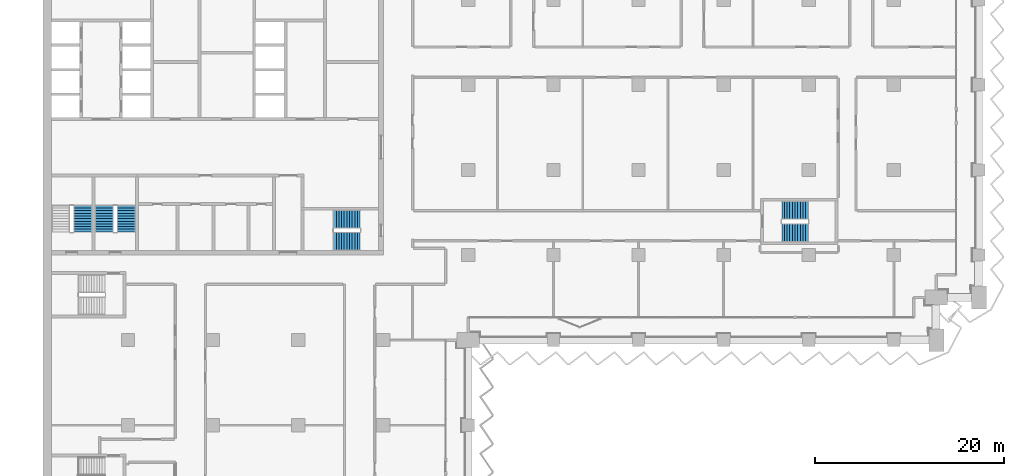
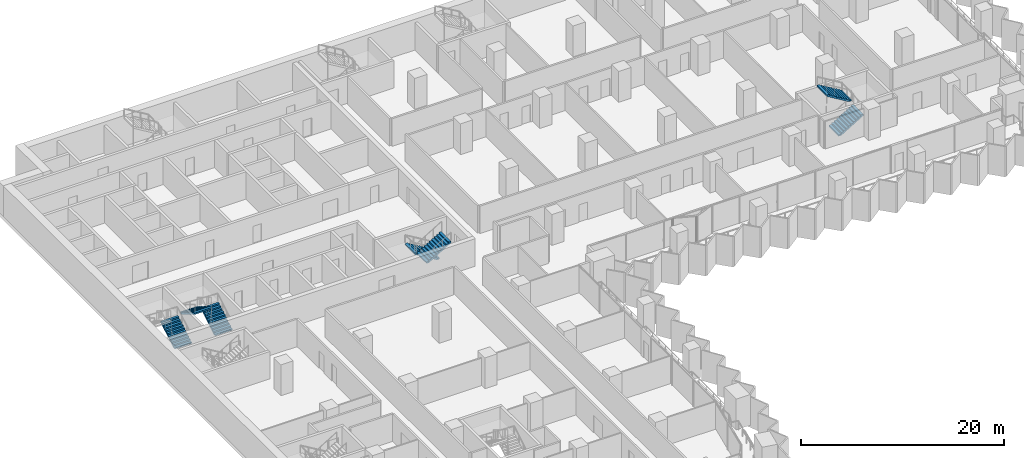
# One storey, part 20 of 28: 7 stair flights, 4 elements without a shape of their own.
"""IFC4 building model written with IfcOpenShell, lengths in metres."""

import ifcopenshell
import ifcopenshell.guid

model = None  # the IFC model being written
_history = None  # IfcOwnerHistory: only IFC2X3 demands one
_inside = {}  # id of a spatial element -> (the spatial element, [elements in it])
_under = {}  # id of a project, library or spatial element -> (it, [spatial elements below it])
_declared = {}  # id of a project -> (the project, [libraries it declares])
_typed = {}  # id of a type object -> (the type object, [elements of that type])
_made_of = {}  # id of a material, layer set ... -> (it, [elements and type objects made of it])


def new_model(schema):
    """Start an empty IFC model of exactly this schema.

    Asked for "IFC4X3", IfcOpenShell would pick the latest addendum, in which some entities
    have other attributes; the version numbers below select the first issue.
    IFC2X3 requires an IfcOwnerHistory on every rooted entity: one is made here for all.
    """
    global model, _history
    if schema == "IFC4X3":
        model = ifcopenshell.file(schema_version=(4, 3, 0, 0))
    else:
        model = ifcopenshell.file(schema=schema)
    _inside.clear()
    _under.clear()
    _declared.clear()
    _typed.clear()
    _made_of.clear()
    _history = None
    if model.schema == "IFC2X3":
        org = make("IfcOrganization", Name="unknown")
        user = make(
            "IfcPersonAndOrganization",
            ThePerson=make("IfcPerson", FamilyName="unknown"),
            TheOrganization=org,
        )
        app = make(
            "IfcApplication",
            ApplicationDeveloper=org,
            Version="unknown",
            ApplicationFullName="unknown",
            ApplicationIdentifier="unknown",
        )
        _history = make(
            "IfcOwnerHistory",
            OwningUser=user,
            OwningApplication=app,
            ChangeAction="ADDED",
            CreationDate=0,
        )
    return model


def make(cls, **values):
    """One entity of the class cls with the attributes given. An attribute that is None is left unset."""
    return model.create_entity(
        cls, **{name: value for name, value in values.items() if value is not None}
    )


def rooted(cls, **values):
    """An entity with a GlobalId (a new one), such as an element, a storey or a relation."""
    return make(cls, GlobalId=ifcopenshell.guid.new(), OwnerHistory=_history, **values)


def si_unit(unit_type, name, prefix=None):
    """IfcSIUnit, for example si_unit("LENGTHUNIT", "METRE", prefix="MILLI")."""
    return make("IfcSIUnit", UnitType=unit_type, Prefix=prefix, Name=name)


def assignment(units):
    """IfcUnitAssignment: the units of a project."""
    return None if units is None else make("IfcUnitAssignment", Units=units)


def point(xyz):
    """IfcCartesianPoint."""
    return None if xyz is None else make("IfcCartesianPoint", Coordinates=xyz)


def direction(xyz):
    """IfcDirection."""
    return None if xyz is None else make("IfcDirection", DirectionRatios=xyz)


def frame(location, z_axis=None, x_axis=None):
    """IfcAxis2Placement3D, a coordinate frame: its origin and axes. An axis left out is left unset."""
    return make(
        "IfcAxis2Placement3D",
        Location=point(location),
        Axis=direction(z_axis),
        RefDirection=direction(x_axis),
    )


def origin():
    """The frame at (0, 0, 0) with its axes left unset."""
    return frame((0.0, 0.0, 0.0))


def place(relative_to, where):
    """IfcLocalPlacement: puts the frame where relative to a parent placement (None: the world)."""
    return make(
        "IfcLocalPlacement", PlacementRelTo=relative_to, RelativePlacement=where
    )


def context(
    kind, dimensions, precision=None, world=None, true_north=None, identifier=None
):
    """IfcGeometricRepresentationContext, for example the 3D "Model" context."""
    return make(
        "IfcGeometricRepresentationContext",
        ContextIdentifier=identifier,
        ContextType=kind,
        CoordinateSpaceDimension=dimensions,
        Precision=precision,
        WorldCoordinateSystem=world,
        TrueNorth=true_north,
    )


def subcontext(parent, identifier, kind, view, scale=None):
    """IfcGeometricRepresentationSubContext, for example "Body" below "Model"."""
    return make(
        "IfcGeometricRepresentationSubContext",
        ContextIdentifier=identifier,
        ContextType=kind,
        ParentContext=parent,
        TargetScale=scale,
        TargetView=view,
    )


def project(units=None, contexts=None):
    """IfcProject with its units and contexts."""
    return rooted(
        "IfcProject",
        Name="project",
        RepresentationContexts=contexts,
        UnitsInContext=assignment(units),
    )


def spatial(cls, under=None, at=None, **own):
    """A site, building, storey or space (cls), placed at a placement, below another one or the project."""
    s = rooted(cls, ObjectPlacement=at, **own)
    if under is not None:
        _under.setdefault(under.id(), (under, []))[1].append(s)
    return s


def polyline(points):
    """IfcPolyline through the points."""
    return make("IfcPolyline", Points=[point(p) for p in points])


def outline(outer, holes=None, kind="AREA"):
    """IfcArbitraryClosedProfileDef: a profile drawn as a closed curve; with holes, ...WithVoids."""
    if holes is None:
        return make("IfcArbitraryClosedProfileDef", ProfileType=kind, OuterCurve=outer)
    return make(
        "IfcArbitraryProfileDefWithVoids",
        ProfileType=kind,
        OuterCurve=outer,
        InnerCurves=holes,
    )


def extrude(swept, where, along, depth):
    """IfcExtrudedAreaSolid: the profile swept, set in the frame where, extruded along a direction by depth."""
    return make(
        "IfcExtrudedAreaSolid",
        SweptArea=swept,
        Position=where,
        ExtrudedDirection=direction(along),
        Depth=depth,
    )


def shape(context_of_items, identifier, shape_type, items):
    """IfcShapeRepresentation: the items that make up one representation, for example the "Body"."""
    return make(
        "IfcShapeRepresentation",
        ContextOfItems=context_of_items,
        RepresentationIdentifier=identifier,
        RepresentationType=shape_type,
        Items=items,
    )


def material(Name=None, Category=None):
    """IfcMaterial."""
    return make("IfcMaterial", Name=Name, Category=Category)


def made_of(thing, what):
    """Note that an element or type object is made of a material, layer set ...; save() writes the relation."""
    if what is not None:
        _made_of.setdefault(what.id(), (what, []))[1].append(thing)
    return thing


def type_object(cls, material=None, **own):
    """A type object (cls), such as IfcWallType, which elements share."""
    return made_of(rooted(cls, **own), material)


def element(
    cls,
    number,
    at=None,
    inside=None,
    cuts=None,
    type_object=None,
    material=None,
    context=None,
    identifier="Body",
    shape_type=None,
    held_by="IfcProductDefinitionShape",
    body=None,
    shapes=None,
    **own,
):
    """One element of the class cls, such as IfcWall. Its Tag is "e" and its number.

    at: its placement. inside: the storey or other place that contains it. cuts: it is an
    opening in that element (IfcRelVoidsElement). A single representation is given by context,
    identifier, shape_type and body (its items); several are given by shapes. held_by: the class
    of the entity that holds the representations. save() writes the other relations.
    """
    e = rooted(cls, Tag="e%d" % number, ObjectPlacement=at, **own)
    if body is not None:
        shapes = [shape(context, identifier, shape_type, body)]
    if shapes is not None:
        e.Representation = make(held_by, Representations=shapes)
    if inside is not None:
        _inside.setdefault(inside.id(), (inside, []))[1].append(e)
    if cuts is not None:
        rooted(
            "IfcRelVoidsElement", RelatingBuildingElement=cuts, RelatedOpeningElement=e
        )
    if type_object is not None:
        _typed.setdefault(type_object.id(), (type_object, []))[1].append(e)
    return made_of(e, material)


def aggregate(whole, parts):
    """IfcRelAggregates: a whole, such as a stair, and the parts it consists of."""
    return rooted("IfcRelAggregates", RelatingObject=whole, RelatedObjects=parts)


def save(model, path):
    """Write the relations noted so far, then the file.

    IfcRelAggregates (storeys below a building ...), IfcRelContainedInSpatialStructure (elements
    in a storey), IfcRelDefinesByType, IfcRelAssociatesMaterial and IfcRelDeclares: one each for
    every whole, place, type object, material and project.
    """
    for whole, parts in _under.values():
        aggregate(whole, parts)
    for where, things in _inside.values():
        rooted(
            "IfcRelContainedInSpatialStructure",
            RelatedElements=things,
            RelatingStructure=where,
        )
    for kind, things in _typed.values():
        rooted("IfcRelDefinesByType", RelatedObjects=things, RelatingType=kind)
    for what, things in _made_of.values():
        rooted("IfcRelAssociatesMaterial", RelatedObjects=things, RelatingMaterial=what)
    for by, libraries in _declared.values():
        rooted("IfcRelDeclares", RelatingContext=by, RelatedDefinitions=libraries)
    model.write(path)


model = new_model("IFC4")

# Units and contexts
model_context = context("Model", 3, precision=1e-05, world=origin(), true_north=direction((0.0, 1.0)))
body_context = subcontext(model_context, "Body", "Model", "MODEL_VIEW")
ifc_project = project(units=[si_unit("LENGTHUNIT", "METRE"), si_unit("AREAUNIT", "SQUARE_METRE"), si_unit("VOLUMEUNIT", "CUBIC_METRE"), si_unit("PLANEANGLEUNIT", "RADIAN"), si_unit("MASSUNIT", "GRAM", prefix="KILO")], contexts=[model_context])

# Site, building, storey
site_placement = place(None, origin())
site = spatial("IfcSite", under=ifc_project, at=site_placement, CompositionType="ELEMENT")
building_placement = place(site_placement, origin())
building = spatial("IfcBuilding", under=site, at=building_placement, Name="Hunhe Ridgeline Campus", CompositionType="ELEMENT")
storey_placement = place(building_placement, frame((0.0, 0.0, 43.199951171875)))
storey = spatial("IfcBuildingStorey", under=building, at=storey_placement, Name="L09", CompositionType="ELEMENT", Elevation=43.199951171875)

# Stair, stair flights
ifc_material = material(Name="Concrete C40", Category="concrete")
stair_type = type_object("IfcStairType", Name="Reinforced concrete dog-leg stair 1950 Concrete C40", PredefinedType="HALF_TURN_STAIR", material=ifc_material)
stair_1_placement = place(storey_placement, origin())
stair_1 = element("IfcStair", 1, at=stair_1_placement, inside=storey, type_object=stair_type, Name="L09 S2", PredefinedType="HALF_TURN_STAIR")
stair_flight_type = type_object("IfcStairFlightType", Name="Reinforced concrete stair flight 1950 Concrete C40", PredefinedType="STRAIGHT", material=ifc_material)
stair_flight_1_placement = place(storey_placement, frame((33.550048828125, 66.77490234375, 0.0), z_axis=(0.0, 0.0, 1.0), x_axis=(-1.0, 0.0, 0.0)))
stair_flight_1 = element("IfcStairFlight", 2, at=stair_flight_1_placement, type_object=stair_flight_type, Name="ST2 flight 1", NumberOfRisers=11, NumberOfTreads=10, PredefinedType="STRAIGHT", RiserHeight=0.168181818, TreadLength=0.28, context=body_context, shape_type="SweptSolid", body=[
    extrude(outline(polyline([(0.0, 0.0), (0.0, 0.168212890625), (0.280029296875, 0.168212890625), (0.280029296875, 0.33642578125), (0.56005859375, 0.33642578125), (0.56005859375, 0.504638671875), (0.840087890625, 0.504638671875), (0.840087890625, 0.672607421875), (1.1201171875, 0.672607421875), (1.1201171875, 0.8408203125), (1.39990234375, 0.8408203125), (1.39990234375, 1.009033203125), (1.679931640625, 1.009033203125), (1.679931640625, 1.17724609375), (1.9599609375, 1.17724609375), (1.9599609375, 1.345458984375), (2.239990234375, 1.345458984375), (2.239990234375, 1.513671875), (2.52001953125, 1.513671875), (2.52001953125, 1.681884765625), (2.800048828125, 1.681884765625), (2.800048828125, 1.85009765625), (2.800048828125, 1.5068359375), (0.291015625, 0.0), (0.0, 0.0)])), frame((0.0, 0.97509765625, 0.0), z_axis=(0.0, -1.0, 0.0), x_axis=(1.0, 0.0, 0.0)), (0.0, 0.0, 1.0), 1.949951171875),
    extrude(outline(polyline([(0.030029296875, 0.030029296875), (0.030029296875, 0.13818359375), (0.31005859375, 0.13818359375), (0.31005859375, 0.306396484375), (0.590087890625, 0.306396484375), (0.590087890625, 0.474609375), (0.8701171875, 0.474609375), (0.8701171875, 0.642578125), (1.14990234375, 0.642578125), (1.14990234375, 0.810791015625), (1.429931640625, 0.810791015625), (1.429931640625, 0.97900390625), (1.7099609375, 0.97900390625), (1.7099609375, 1.147216796875), (1.989990234375, 1.147216796875), (1.989990234375, 1.3154296875), (2.27001953125, 1.3154296875), (2.27001953125, 1.483642578125), (2.550048828125, 1.483642578125), (2.550048828125, 1.65185546875), (2.77001953125, 1.65185546875), (2.77001953125, 1.52392578125), (0.28271484375, 0.030029296875), (0.030029296875, 0.030029296875)])), frame((0.0, -0.070068359375, 0.0), z_axis=(0.0, -1.0, 0.0), x_axis=(1.0, 0.0, 0.0)), (0.0, 0.0, 1.0), 0.019775390625),
    extrude(outline(polyline([(0.030029296875, 0.030029296875), (0.030029296875, 0.13818359375), (0.31005859375, 0.13818359375), (0.31005859375, 0.306396484375), (0.590087890625, 0.306396484375), (0.590087890625, 0.474609375), (0.8701171875, 0.474609375), (0.8701171875, 0.642578125), (1.14990234375, 0.642578125), (1.14990234375, 0.810791015625), (1.429931640625, 0.810791015625), (1.429931640625, 0.97900390625), (1.7099609375, 0.97900390625), (1.7099609375, 1.147216796875), (1.989990234375, 1.147216796875), (1.989990234375, 1.3154296875), (2.27001953125, 1.3154296875), (2.27001953125, 1.483642578125), (2.550048828125, 1.483642578125), (2.550048828125, 1.65185546875), (2.77001953125, 1.65185546875), (2.77001953125, 1.52392578125), (0.28271484375, 0.030029296875), (0.030029296875, 0.030029296875)])), frame((0.0, 0.010009765625, 0.0), z_axis=(0.0, -1.0, 0.0), x_axis=(1.0, 0.0, 0.0)), (0.0, 0.0, 1.0), 0.019775390625),
    extrude(outline(polyline([(0.030029296875, 0.030029296875), (0.030029296875, 0.13818359375), (0.31005859375, 0.13818359375), (0.31005859375, 0.306396484375), (0.590087890625, 0.306396484375), (0.590087890625, 0.474609375), (0.8701171875, 0.474609375), (0.8701171875, 0.642578125), (1.14990234375, 0.642578125), (1.14990234375, 0.810791015625), (1.429931640625, 0.810791015625), (1.429931640625, 0.97900390625), (1.7099609375, 0.97900390625), (1.7099609375, 1.147216796875), (1.989990234375, 1.147216796875), (1.989990234375, 1.3154296875), (2.27001953125, 1.3154296875), (2.27001953125, 1.483642578125), (2.550048828125, 1.483642578125), (2.550048828125, 1.65185546875), (2.77001953125, 1.65185546875), (2.77001953125, 1.52392578125), (0.28271484375, 0.030029296875), (0.030029296875, 0.030029296875)])), frame((0.0, 0.090087890625, 0.0), z_axis=(0.0, -1.0, 0.0), x_axis=(1.0, 0.0, 0.0)), (0.0, 0.0, 1.0), 0.019775390625),
])
stair_flight_2_placement = place(storey_placement, frame((30.75, 64.47509765625, 1.85009765625), z_axis=(0.0, 0.0, 1.0), x_axis=(1.0, 0.0, 0.0)))
stair_flight_2 = element("IfcStairFlight", 3, at=stair_flight_2_placement, type_object=stair_flight_type, Name="ST2 flight 2", NumberOfRisers=11, NumberOfTreads=10, PredefinedType="STRAIGHT", RiserHeight=0.168181818, TreadLength=0.28, context=body_context, shape_type="SweptSolid", body=[
    extrude(outline(polyline([(0.0, 0.0), (0.0, 0.168212890625), (0.280029296875, 0.168212890625), (0.280029296875, 0.33642578125), (0.56005859375, 0.33642578125), (0.56005859375, 0.504638671875), (0.840087890625, 0.504638671875), (0.840087890625, 0.672607421875), (1.1201171875, 0.672607421875), (1.1201171875, 0.8408203125), (1.39990234375, 0.8408203125), (1.39990234375, 1.009033203125), (1.679931640625, 1.009033203125), (1.679931640625, 1.17724609375), (1.9599609375, 1.17724609375), (1.9599609375, 1.345458984375), (2.239990234375, 1.345458984375), (2.239990234375, 1.513671875), (2.52001953125, 1.513671875), (2.52001953125, 1.681884765625), (2.800048828125, 1.681884765625), (2.800048828125, 1.85009765625), (2.800048828125, 1.5068359375), (0.291015625, 0.0), (0.0, 0.0)])), frame((0.0, 0.97509765625, 0.0), z_axis=(0.0, -1.0, 0.0), x_axis=(1.0, 0.0, 0.0)), (0.0, 0.0, 1.0), 1.949951171875),
    extrude(outline(polyline([(0.030029296875, 0.030029296875), (0.030029296875, 0.13818359375), (0.31005859375, 0.13818359375), (0.31005859375, 0.306396484375), (0.590087890625, 0.306396484375), (0.590087890625, 0.474609375), (0.8701171875, 0.474609375), (0.8701171875, 0.642578125), (1.14990234375, 0.642578125), (1.14990234375, 0.810791015625), (1.429931640625, 0.810791015625), (1.429931640625, 0.97900390625), (1.7099609375, 0.97900390625), (1.7099609375, 1.147216796875), (1.989990234375, 1.147216796875), (1.989990234375, 1.3154296875), (2.27001953125, 1.3154296875), (2.27001953125, 1.483642578125), (2.550048828125, 1.483642578125), (2.550048828125, 1.65185546875), (2.77001953125, 1.65185546875), (2.77001953125, 1.52392578125), (0.28271484375, 0.030029296875), (0.030029296875, 0.030029296875)])), frame((0.0, -0.070068359375, 0.0), z_axis=(0.0, -1.0, 0.0), x_axis=(1.0, 0.0, 0.0)), (0.0, 0.0, 1.0), 0.019775390625),
    extrude(outline(polyline([(0.030029296875, 0.030029296875), (0.030029296875, 0.13818359375), (0.31005859375, 0.13818359375), (0.31005859375, 0.306396484375), (0.590087890625, 0.306396484375), (0.590087890625, 0.474609375), (0.8701171875, 0.474609375), (0.8701171875, 0.642578125), (1.14990234375, 0.642578125), (1.14990234375, 0.810791015625), (1.429931640625, 0.810791015625), (1.429931640625, 0.97900390625), (1.7099609375, 0.97900390625), (1.7099609375, 1.147216796875), (1.989990234375, 1.147216796875), (1.989990234375, 1.3154296875), (2.27001953125, 1.3154296875), (2.27001953125, 1.483642578125), (2.550048828125, 1.483642578125), (2.550048828125, 1.65185546875), (2.77001953125, 1.65185546875), (2.77001953125, 1.52392578125), (0.28271484375, 0.030029296875), (0.030029296875, 0.030029296875)])), frame((0.0, 0.010009765625, 0.0), z_axis=(0.0, -1.0, 0.0), x_axis=(1.0, 0.0, 0.0)), (0.0, 0.0, 1.0), 0.019775390625),
    extrude(outline(polyline([(0.030029296875, 0.030029296875), (0.030029296875, 0.13818359375), (0.31005859375, 0.13818359375), (0.31005859375, 0.306396484375), (0.590087890625, 0.306396484375), (0.590087890625, 0.474609375), (0.8701171875, 0.474609375), (0.8701171875, 0.642578125), (1.14990234375, 0.642578125), (1.14990234375, 0.810791015625), (1.429931640625, 0.810791015625), (1.429931640625, 0.97900390625), (1.7099609375, 0.97900390625), (1.7099609375, 1.147216796875), (1.989990234375, 1.147216796875), (1.989990234375, 1.3154296875), (2.27001953125, 1.3154296875), (2.27001953125, 1.483642578125), (2.550048828125, 1.483642578125), (2.550048828125, 1.65185546875), (2.77001953125, 1.65185546875), (2.77001953125, 1.52392578125), (0.28271484375, 0.030029296875), (0.030029296875, 0.030029296875)])), frame((0.0, 0.090087890625, 0.0), z_axis=(0.0, -1.0, 0.0), x_axis=(1.0, 0.0, 0.0)), (0.0, 0.0, 1.0), 0.019775390625),
])
aggregate(stair_1, [stair_flight_1, stair_flight_2])

# Stair, stair flight
stair_2_placement = place(storey_placement, origin())
stair_2 = element("IfcStair", 4, at=stair_2_placement, inside=storey, type_object=stair_type, Name="L09 S3", PredefinedType="HALF_TURN_STAIR")
stair_flight_3_placement = place(storey_placement, frame((4.22509765625, 65.449951171875, 0.0), z_axis=(0.0, 0.0, 1.0), x_axis=(0.0, 1.0, 0.0)))
stair_flight_3 = element("IfcStairFlight", 5, at=stair_flight_3_placement, type_object=stair_flight_type, Name="ST3 flight 1", NumberOfRisers=11, NumberOfTreads=10, PredefinedType="STRAIGHT", RiserHeight=0.168181818, TreadLength=0.28, context=body_context, shape_type="SweptSolid", body=[
    extrude(outline(polyline([(0.0, 0.0), (0.0, 0.168212890625), (0.280029296875, 0.168212890625), (0.280029296875, 0.33642578125), (0.56005859375, 0.33642578125), (0.56005859375, 0.504638671875), (0.840087890625, 0.504638671875), (0.840087890625, 0.672607421875), (1.1201171875, 0.672607421875), (1.1201171875, 0.8408203125), (1.39990234375, 0.8408203125), (1.39990234375, 1.009033203125), (1.679931640625, 1.009033203125), (1.679931640625, 1.17724609375), (1.9599609375, 1.17724609375), (1.9599609375, 1.345458984375), (2.239990234375, 1.345458984375), (2.239990234375, 1.513671875), (2.52001953125, 1.513671875), (2.52001953125, 1.681884765625), (2.800048828125, 1.681884765625), (2.800048828125, 1.85009765625), (2.800048828125, 1.5068359375), (0.291015625, 0.0), (0.0, 0.0)])), frame((0.0, 0.97509765625, 0.0), z_axis=(0.0, -1.0, 0.0), x_axis=(1.0, 0.0, 0.0)), (0.0, 0.0, 1.0), 1.949951171875),
    extrude(outline(polyline([(0.030029296875, 0.030029296875), (0.030029296875, 0.13818359375), (0.31005859375, 0.13818359375), (0.31005859375, 0.306396484375), (0.590087890625, 0.306396484375), (0.590087890625, 0.474609375), (0.8701171875, 0.474609375), (0.8701171875, 0.642578125), (1.14990234375, 0.642578125), (1.14990234375, 0.810791015625), (1.429931640625, 0.810791015625), (1.429931640625, 0.97900390625), (1.7099609375, 0.97900390625), (1.7099609375, 1.147216796875), (1.989990234375, 1.147216796875), (1.989990234375, 1.3154296875), (2.27001953125, 1.3154296875), (2.27001953125, 1.483642578125), (2.550048828125, 1.483642578125), (2.550048828125, 1.65185546875), (2.77001953125, 1.65185546875), (2.77001953125, 1.52392578125), (0.28271484375, 0.030029296875), (0.030029296875, 0.030029296875)])), frame((0.0, -0.070068359375, 0.0), z_axis=(0.0, -1.0, 0.0), x_axis=(1.0, 0.0, 0.0)), (0.0, 0.0, 1.0), 0.019775390625),
    extrude(outline(polyline([(0.030029296875, 0.030029296875), (0.030029296875, 0.13818359375), (0.31005859375, 0.13818359375), (0.31005859375, 0.306396484375), (0.590087890625, 0.306396484375), (0.590087890625, 0.474609375), (0.8701171875, 0.474609375), (0.8701171875, 0.642578125), (1.14990234375, 0.642578125), (1.14990234375, 0.810791015625), (1.429931640625, 0.810791015625), (1.429931640625, 0.97900390625), (1.7099609375, 0.97900390625), (1.7099609375, 1.147216796875), (1.989990234375, 1.147216796875), (1.989990234375, 1.3154296875), (2.27001953125, 1.3154296875), (2.27001953125, 1.483642578125), (2.550048828125, 1.483642578125), (2.550048828125, 1.65185546875), (2.77001953125, 1.65185546875), (2.77001953125, 1.52392578125), (0.28271484375, 0.030029296875), (0.030029296875, 0.030029296875)])), frame((0.0, 0.010009765625, 0.0), z_axis=(0.0, -1.0, 0.0), x_axis=(1.0, 0.0, 0.0)), (0.0, 0.0, 1.0), 0.019775390625),
    extrude(outline(polyline([(0.030029296875, 0.030029296875), (0.030029296875, 0.13818359375), (0.31005859375, 0.13818359375), (0.31005859375, 0.306396484375), (0.590087890625, 0.306396484375), (0.590087890625, 0.474609375), (0.8701171875, 0.474609375), (0.8701171875, 0.642578125), (1.14990234375, 0.642578125), (1.14990234375, 0.810791015625), (1.429931640625, 0.810791015625), (1.429931640625, 0.97900390625), (1.7099609375, 0.97900390625), (1.7099609375, 1.147216796875), (1.989990234375, 1.147216796875), (1.989990234375, 1.3154296875), (2.27001953125, 1.3154296875), (2.27001953125, 1.483642578125), (2.550048828125, 1.483642578125), (2.550048828125, 1.65185546875), (2.77001953125, 1.65185546875), (2.77001953125, 1.52392578125), (0.28271484375, 0.030029296875), (0.030029296875, 0.030029296875)])), frame((0.0, 0.090087890625, 0.0), z_axis=(0.0, -1.0, 0.0), x_axis=(1.0, 0.0, 0.0)), (0.0, 0.0, 1.0), 0.019775390625),
])
aggregate(stair_2, [stair_flight_3])

# Stair, stair flights
stair_3_placement = place(storey_placement, origin())
stair_3 = element("IfcStair", 6, at=stair_3_placement, inside=storey, type_object=stair_type, Name="L09 S4", PredefinedType="HALF_TURN_STAIR")
stair_flight_4_placement = place(storey_placement, frame((8.824951171875, 65.449951171875, 0.0), z_axis=(0.0, 0.0, 1.0), x_axis=(0.0, 1.0, 0.0)))
stair_flight_4 = element("IfcStairFlight", 7, at=stair_flight_4_placement, type_object=stair_flight_type, Name="ST4 flight 1", NumberOfRisers=11, NumberOfTreads=10, PredefinedType="STRAIGHT", RiserHeight=0.168181818, TreadLength=0.28, context=body_context, shape_type="SweptSolid", body=[
    extrude(outline(polyline([(0.0, 0.0), (0.0, 0.168212890625), (0.280029296875, 0.168212890625), (0.280029296875, 0.33642578125), (0.56005859375, 0.33642578125), (0.56005859375, 0.504638671875), (0.840087890625, 0.504638671875), (0.840087890625, 0.672607421875), (1.1201171875, 0.672607421875), (1.1201171875, 0.8408203125), (1.39990234375, 0.8408203125), (1.39990234375, 1.009033203125), (1.679931640625, 1.009033203125), (1.679931640625, 1.17724609375), (1.9599609375, 1.17724609375), (1.9599609375, 1.345458984375), (2.239990234375, 1.345458984375), (2.239990234375, 1.513671875), (2.52001953125, 1.513671875), (2.52001953125, 1.681884765625), (2.800048828125, 1.681884765625), (2.800048828125, 1.85009765625), (2.800048828125, 1.5068359375), (0.291015625, 0.0), (0.0, 0.0)])), frame((0.0, 0.97509765625, 0.0), z_axis=(0.0, -1.0, 0.0), x_axis=(1.0, 0.0, 0.0)), (0.0, 0.0, 1.0), 1.949951171875),
    extrude(outline(polyline([(0.030029296875, 0.030029296875), (0.030029296875, 0.13818359375), (0.31005859375, 0.13818359375), (0.31005859375, 0.306396484375), (0.590087890625, 0.306396484375), (0.590087890625, 0.474609375), (0.8701171875, 0.474609375), (0.8701171875, 0.642578125), (1.14990234375, 0.642578125), (1.14990234375, 0.810791015625), (1.429931640625, 0.810791015625), (1.429931640625, 0.97900390625), (1.7099609375, 0.97900390625), (1.7099609375, 1.147216796875), (1.989990234375, 1.147216796875), (1.989990234375, 1.3154296875), (2.27001953125, 1.3154296875), (2.27001953125, 1.483642578125), (2.550048828125, 1.483642578125), (2.550048828125, 1.65185546875), (2.77001953125, 1.65185546875), (2.77001953125, 1.52392578125), (0.28271484375, 0.030029296875), (0.030029296875, 0.030029296875)])), frame((0.0, -0.070068359375, 0.0), z_axis=(0.0, -1.0, 0.0), x_axis=(1.0, 0.0, 0.0)), (0.0, 0.0, 1.0), 0.019775390625),
    extrude(outline(polyline([(0.030029296875, 0.030029296875), (0.030029296875, 0.13818359375), (0.31005859375, 0.13818359375), (0.31005859375, 0.306396484375), (0.590087890625, 0.306396484375), (0.590087890625, 0.474609375), (0.8701171875, 0.474609375), (0.8701171875, 0.642578125), (1.14990234375, 0.642578125), (1.14990234375, 0.810791015625), (1.429931640625, 0.810791015625), (1.429931640625, 0.97900390625), (1.7099609375, 0.97900390625), (1.7099609375, 1.147216796875), (1.989990234375, 1.147216796875), (1.989990234375, 1.3154296875), (2.27001953125, 1.3154296875), (2.27001953125, 1.483642578125), (2.550048828125, 1.483642578125), (2.550048828125, 1.65185546875), (2.77001953125, 1.65185546875), (2.77001953125, 1.52392578125), (0.28271484375, 0.030029296875), (0.030029296875, 0.030029296875)])), frame((0.0, 0.010009765625, 0.0), z_axis=(0.0, -1.0, 0.0), x_axis=(1.0, 0.0, 0.0)), (0.0, 0.0, 1.0), 0.019775390625),
    extrude(outline(polyline([(0.030029296875, 0.030029296875), (0.030029296875, 0.13818359375), (0.31005859375, 0.13818359375), (0.31005859375, 0.306396484375), (0.590087890625, 0.306396484375), (0.590087890625, 0.474609375), (0.8701171875, 0.474609375), (0.8701171875, 0.642578125), (1.14990234375, 0.642578125), (1.14990234375, 0.810791015625), (1.429931640625, 0.810791015625), (1.429931640625, 0.97900390625), (1.7099609375, 0.97900390625), (1.7099609375, 1.147216796875), (1.989990234375, 1.147216796875), (1.989990234375, 1.3154296875), (2.27001953125, 1.3154296875), (2.27001953125, 1.483642578125), (2.550048828125, 1.483642578125), (2.550048828125, 1.65185546875), (2.77001953125, 1.65185546875), (2.77001953125, 1.52392578125), (0.28271484375, 0.030029296875), (0.030029296875, 0.030029296875)])), frame((0.0, 0.090087890625, 0.0), z_axis=(0.0, -1.0, 0.0), x_axis=(1.0, 0.0, 0.0)), (0.0, 0.0, 1.0), 0.019775390625),
])
stair_flight_5_placement = place(storey_placement, frame((6.47509765625, 68.25, 1.85009765625), z_axis=(0.0, 0.0, 1.0), x_axis=(0.0, -1.0, 0.0)))
stair_flight_5 = element("IfcStairFlight", 8, at=stair_flight_5_placement, type_object=stair_flight_type, Name="ST4 flight 2", NumberOfRisers=11, NumberOfTreads=10, PredefinedType="STRAIGHT", RiserHeight=0.168181818, TreadLength=0.28, context=body_context, shape_type="SweptSolid", body=[
    extrude(outline(polyline([(0.0, 0.0), (0.0, 0.168212890625), (0.280029296875, 0.168212890625), (0.280029296875, 0.33642578125), (0.56005859375, 0.33642578125), (0.56005859375, 0.504638671875), (0.840087890625, 0.504638671875), (0.840087890625, 0.672607421875), (1.1201171875, 0.672607421875), (1.1201171875, 0.8408203125), (1.39990234375, 0.8408203125), (1.39990234375, 1.009033203125), (1.679931640625, 1.009033203125), (1.679931640625, 1.17724609375), (1.9599609375, 1.17724609375), (1.9599609375, 1.345458984375), (2.239990234375, 1.345458984375), (2.239990234375, 1.513671875), (2.52001953125, 1.513671875), (2.52001953125, 1.681884765625), (2.800048828125, 1.681884765625), (2.800048828125, 1.85009765625), (2.800048828125, 1.5068359375), (0.291015625, 0.0), (0.0, 0.0)])), frame((0.0, 0.97509765625, 0.0), z_axis=(0.0, -1.0, 0.0), x_axis=(1.0, 0.0, 0.0)), (0.0, 0.0, 1.0), 1.949951171875),
    extrude(outline(polyline([(0.030029296875, 0.030029296875), (0.030029296875, 0.13818359375), (0.31005859375, 0.13818359375), (0.31005859375, 0.306396484375), (0.590087890625, 0.306396484375), (0.590087890625, 0.474609375), (0.8701171875, 0.474609375), (0.8701171875, 0.642578125), (1.14990234375, 0.642578125), (1.14990234375, 0.810791015625), (1.429931640625, 0.810791015625), (1.429931640625, 0.97900390625), (1.7099609375, 0.97900390625), (1.7099609375, 1.147216796875), (1.989990234375, 1.147216796875), (1.989990234375, 1.3154296875), (2.27001953125, 1.3154296875), (2.27001953125, 1.483642578125), (2.550048828125, 1.483642578125), (2.550048828125, 1.65185546875), (2.77001953125, 1.65185546875), (2.77001953125, 1.52392578125), (0.28271484375, 0.030029296875), (0.030029296875, 0.030029296875)])), frame((0.0, -0.070068359375, 0.0), z_axis=(0.0, -1.0, 0.0), x_axis=(1.0, 0.0, 0.0)), (0.0, 0.0, 1.0), 0.019775390625),
    extrude(outline(polyline([(0.030029296875, 0.030029296875), (0.030029296875, 0.13818359375), (0.31005859375, 0.13818359375), (0.31005859375, 0.306396484375), (0.590087890625, 0.306396484375), (0.590087890625, 0.474609375), (0.8701171875, 0.474609375), (0.8701171875, 0.642578125), (1.14990234375, 0.642578125), (1.14990234375, 0.810791015625), (1.429931640625, 0.810791015625), (1.429931640625, 0.97900390625), (1.7099609375, 0.97900390625), (1.7099609375, 1.147216796875), (1.989990234375, 1.147216796875), (1.989990234375, 1.3154296875), (2.27001953125, 1.3154296875), (2.27001953125, 1.483642578125), (2.550048828125, 1.483642578125), (2.550048828125, 1.65185546875), (2.77001953125, 1.65185546875), (2.77001953125, 1.52392578125), (0.28271484375, 0.030029296875), (0.030029296875, 0.030029296875)])), frame((0.0, 0.010009765625, 0.0), z_axis=(0.0, -1.0, 0.0), x_axis=(1.0, 0.0, 0.0)), (0.0, 0.0, 1.0), 0.019775390625),
    extrude(outline(polyline([(0.030029296875, 0.030029296875), (0.030029296875, 0.13818359375), (0.31005859375, 0.13818359375), (0.31005859375, 0.306396484375), (0.590087890625, 0.306396484375), (0.590087890625, 0.474609375), (0.8701171875, 0.474609375), (0.8701171875, 0.642578125), (1.14990234375, 0.642578125), (1.14990234375, 0.810791015625), (1.429931640625, 0.810791015625), (1.429931640625, 0.97900390625), (1.7099609375, 0.97900390625), (1.7099609375, 1.147216796875), (1.989990234375, 1.147216796875), (1.989990234375, 1.3154296875), (2.27001953125, 1.3154296875), (2.27001953125, 1.483642578125), (2.550048828125, 1.483642578125), (2.550048828125, 1.65185546875), (2.77001953125, 1.65185546875), (2.77001953125, 1.52392578125), (0.28271484375, 0.030029296875), (0.030029296875, 0.030029296875)])), frame((0.0, 0.090087890625, 0.0), z_axis=(0.0, -1.0, 0.0), x_axis=(1.0, 0.0, 0.0)), (0.0, 0.0, 1.0), 0.019775390625),
])
aggregate(stair_3, [stair_flight_4, stair_flight_5])

stair_4_placement = place(storey_placement, origin())
stair_4 = element("IfcStair", 9, at=stair_4_placement, inside=storey, type_object=stair_type, Name="L09 E5", PredefinedType="HALF_TURN_STAIR")
stair_flight_6_placement = place(storey_placement, frame((78.14990234375, 65.375, 0.0), z_axis=(0.0, 0.0, 1.0), x_axis=(1.0, 0.0, 0.0)))
stair_flight_6 = element("IfcStairFlight", 10, at=stair_flight_6_placement, type_object=stair_flight_type, Name="ST10 flight 1", NumberOfRisers=11, NumberOfTreads=10, PredefinedType="STRAIGHT", RiserHeight=0.168181818, TreadLength=0.28, context=body_context, shape_type="SweptSolid", body=[
    extrude(outline(polyline([(0.0, 0.0), (0.0, 0.168212890625), (0.280029296875, 0.168212890625), (0.280029296875, 0.33642578125), (0.56005859375, 0.33642578125), (0.56005859375, 0.504638671875), (0.840087890625, 0.504638671875), (0.840087890625, 0.672607421875), (1.1201171875, 0.672607421875), (1.1201171875, 0.8408203125), (1.39990234375, 0.8408203125), (1.39990234375, 1.009033203125), (1.679931640625, 1.009033203125), (1.679931640625, 1.17724609375), (1.9599609375, 1.17724609375), (1.9599609375, 1.345458984375), (2.239990234375, 1.345458984375), (2.239990234375, 1.513671875), (2.52001953125, 1.513671875), (2.52001953125, 1.681884765625), (2.800048828125, 1.681884765625), (2.800048828125, 1.85009765625), (2.800048828125, 1.5068359375), (0.291015625, 0.0), (0.0, 0.0)])), frame((0.0, 0.97509765625, 0.0), z_axis=(0.0, -1.0, 0.0), x_axis=(1.0, 0.0, 0.0)), (0.0, 0.0, 1.0), 1.949951171875),
    extrude(outline(polyline([(0.030029296875, 0.030029296875), (0.030029296875, 0.13818359375), (0.31005859375, 0.13818359375), (0.31005859375, 0.306396484375), (0.590087890625, 0.306396484375), (0.590087890625, 0.474609375), (0.8701171875, 0.474609375), (0.8701171875, 0.642578125), (1.14990234375, 0.642578125), (1.14990234375, 0.810791015625), (1.429931640625, 0.810791015625), (1.429931640625, 0.97900390625), (1.7099609375, 0.97900390625), (1.7099609375, 1.147216796875), (1.989990234375, 1.147216796875), (1.989990234375, 1.3154296875), (2.27001953125, 1.3154296875), (2.27001953125, 1.483642578125), (2.550048828125, 1.483642578125), (2.550048828125, 1.65185546875), (2.77001953125, 1.65185546875), (2.77001953125, 1.52392578125), (0.28271484375, 0.030029296875), (0.030029296875, 0.030029296875)])), frame((0.0, -0.070068359375, 0.0), z_axis=(0.0, -1.0, 0.0), x_axis=(1.0, 0.0, 0.0)), (0.0, 0.0, 1.0), 0.019775390625),
    extrude(outline(polyline([(0.030029296875, 0.030029296875), (0.030029296875, 0.13818359375), (0.31005859375, 0.13818359375), (0.31005859375, 0.306396484375), (0.590087890625, 0.306396484375), (0.590087890625, 0.474609375), (0.8701171875, 0.474609375), (0.8701171875, 0.642578125), (1.14990234375, 0.642578125), (1.14990234375, 0.810791015625), (1.429931640625, 0.810791015625), (1.429931640625, 0.97900390625), (1.7099609375, 0.97900390625), (1.7099609375, 1.147216796875), (1.989990234375, 1.147216796875), (1.989990234375, 1.3154296875), (2.27001953125, 1.3154296875), (2.27001953125, 1.483642578125), (2.550048828125, 1.483642578125), (2.550048828125, 1.65185546875), (2.77001953125, 1.65185546875), (2.77001953125, 1.52392578125), (0.28271484375, 0.030029296875), (0.030029296875, 0.030029296875)])), frame((0.0, 0.010009765625, 0.0), z_axis=(0.0, -1.0, 0.0), x_axis=(1.0, 0.0, 0.0)), (0.0, 0.0, 1.0), 0.019775390625),
    extrude(outline(polyline([(0.030029296875, 0.030029296875), (0.030029296875, 0.13818359375), (0.31005859375, 0.13818359375), (0.31005859375, 0.306396484375), (0.590087890625, 0.306396484375), (0.590087890625, 0.474609375), (0.8701171875, 0.474609375), (0.8701171875, 0.642578125), (1.14990234375, 0.642578125), (1.14990234375, 0.810791015625), (1.429931640625, 0.810791015625), (1.429931640625, 0.97900390625), (1.7099609375, 0.97900390625), (1.7099609375, 1.147216796875), (1.989990234375, 1.147216796875), (1.989990234375, 1.3154296875), (2.27001953125, 1.3154296875), (2.27001953125, 1.483642578125), (2.550048828125, 1.483642578125), (2.550048828125, 1.65185546875), (2.77001953125, 1.65185546875), (2.77001953125, 1.52392578125), (0.28271484375, 0.030029296875), (0.030029296875, 0.030029296875)])), frame((0.0, 0.090087890625, 0.0), z_axis=(0.0, -1.0, 0.0), x_axis=(1.0, 0.0, 0.0)), (0.0, 0.0, 1.0), 0.019775390625),
])
stair_flight_7_placement = place(storey_placement, frame((80.949951171875, 67.72509765625, 1.85009765625), z_axis=(0.0, 0.0, 1.0), x_axis=(-1.0, 0.0, 0.0)))
stair_flight_7 = element("IfcStairFlight", 11, at=stair_flight_7_placement, type_object=stair_flight_type, Name="ST10 flight 2", NumberOfRisers=11, NumberOfTreads=10, PredefinedType="STRAIGHT", RiserHeight=0.168181818, TreadLength=0.28, context=body_context, shape_type="SweptSolid", body=[
    extrude(outline(polyline([(0.0, 0.0), (0.0, 0.168212890625), (0.280029296875, 0.168212890625), (0.280029296875, 0.33642578125), (0.56005859375, 0.33642578125), (0.56005859375, 0.504638671875), (0.840087890625, 0.504638671875), (0.840087890625, 0.672607421875), (1.1201171875, 0.672607421875), (1.1201171875, 0.8408203125), (1.39990234375, 0.8408203125), (1.39990234375, 1.009033203125), (1.679931640625, 1.009033203125), (1.679931640625, 1.17724609375), (1.9599609375, 1.17724609375), (1.9599609375, 1.345458984375), (2.239990234375, 1.345458984375), (2.239990234375, 1.513671875), (2.52001953125, 1.513671875), (2.52001953125, 1.681884765625), (2.800048828125, 1.681884765625), (2.800048828125, 1.85009765625), (2.800048828125, 1.5068359375), (0.291015625, 0.0), (0.0, 0.0)])), frame((0.0, 0.97509765625, 0.0), z_axis=(0.0, -1.0, 0.0), x_axis=(1.0, 0.0, 0.0)), (0.0, 0.0, 1.0), 1.949951171875),
    extrude(outline(polyline([(0.030029296875, 0.030029296875), (0.030029296875, 0.13818359375), (0.31005859375, 0.13818359375), (0.31005859375, 0.306396484375), (0.590087890625, 0.306396484375), (0.590087890625, 0.474609375), (0.8701171875, 0.474609375), (0.8701171875, 0.642578125), (1.14990234375, 0.642578125), (1.14990234375, 0.810791015625), (1.429931640625, 0.810791015625), (1.429931640625, 0.97900390625), (1.7099609375, 0.97900390625), (1.7099609375, 1.147216796875), (1.989990234375, 1.147216796875), (1.989990234375, 1.3154296875), (2.27001953125, 1.3154296875), (2.27001953125, 1.483642578125), (2.550048828125, 1.483642578125), (2.550048828125, 1.65185546875), (2.77001953125, 1.65185546875), (2.77001953125, 1.52392578125), (0.28271484375, 0.030029296875), (0.030029296875, 0.030029296875)])), frame((0.0, -0.070068359375, 0.0), z_axis=(0.0, -1.0, 0.0), x_axis=(1.0, 0.0, 0.0)), (0.0, 0.0, 1.0), 0.019775390625),
    extrude(outline(polyline([(0.030029296875, 0.030029296875), (0.030029296875, 0.13818359375), (0.31005859375, 0.13818359375), (0.31005859375, 0.306396484375), (0.590087890625, 0.306396484375), (0.590087890625, 0.474609375), (0.8701171875, 0.474609375), (0.8701171875, 0.642578125), (1.14990234375, 0.642578125), (1.14990234375, 0.810791015625), (1.429931640625, 0.810791015625), (1.429931640625, 0.97900390625), (1.7099609375, 0.97900390625), (1.7099609375, 1.147216796875), (1.989990234375, 1.147216796875), (1.989990234375, 1.3154296875), (2.27001953125, 1.3154296875), (2.27001953125, 1.483642578125), (2.550048828125, 1.483642578125), (2.550048828125, 1.65185546875), (2.77001953125, 1.65185546875), (2.77001953125, 1.52392578125), (0.28271484375, 0.030029296875), (0.030029296875, 0.030029296875)])), frame((0.0, 0.010009765625, 0.0), z_axis=(0.0, -1.0, 0.0), x_axis=(1.0, 0.0, 0.0)), (0.0, 0.0, 1.0), 0.019775390625),
    extrude(outline(polyline([(0.030029296875, 0.030029296875), (0.030029296875, 0.13818359375), (0.31005859375, 0.13818359375), (0.31005859375, 0.306396484375), (0.590087890625, 0.306396484375), (0.590087890625, 0.474609375), (0.8701171875, 0.474609375), (0.8701171875, 0.642578125), (1.14990234375, 0.642578125), (1.14990234375, 0.810791015625), (1.429931640625, 0.810791015625), (1.429931640625, 0.97900390625), (1.7099609375, 0.97900390625), (1.7099609375, 1.147216796875), (1.989990234375, 1.147216796875), (1.989990234375, 1.3154296875), (2.27001953125, 1.3154296875), (2.27001953125, 1.483642578125), (2.550048828125, 1.483642578125), (2.550048828125, 1.65185546875), (2.77001953125, 1.65185546875), (2.77001953125, 1.52392578125), (0.28271484375, 0.030029296875), (0.030029296875, 0.030029296875)])), frame((0.0, 0.090087890625, 0.0), z_axis=(0.0, -1.0, 0.0), x_axis=(1.0, 0.0, 0.0)), (0.0, 0.0, 1.0), 0.019775390625),
])
aggregate(stair_4, [stair_flight_6, stair_flight_7])

save(model, "model.ifc")
